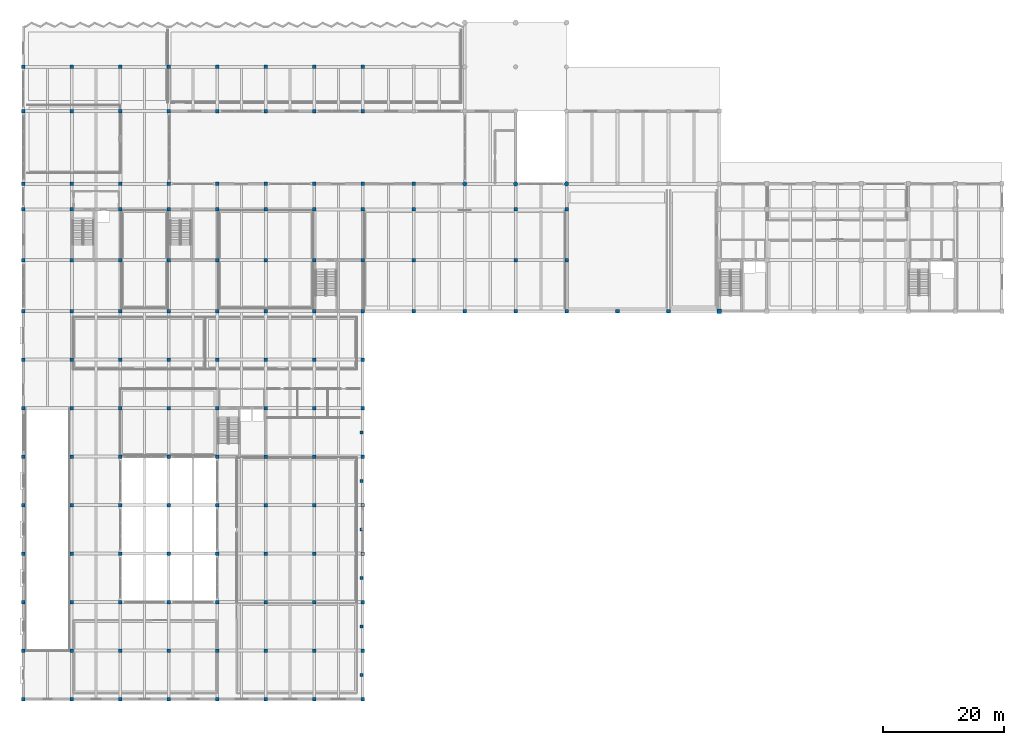
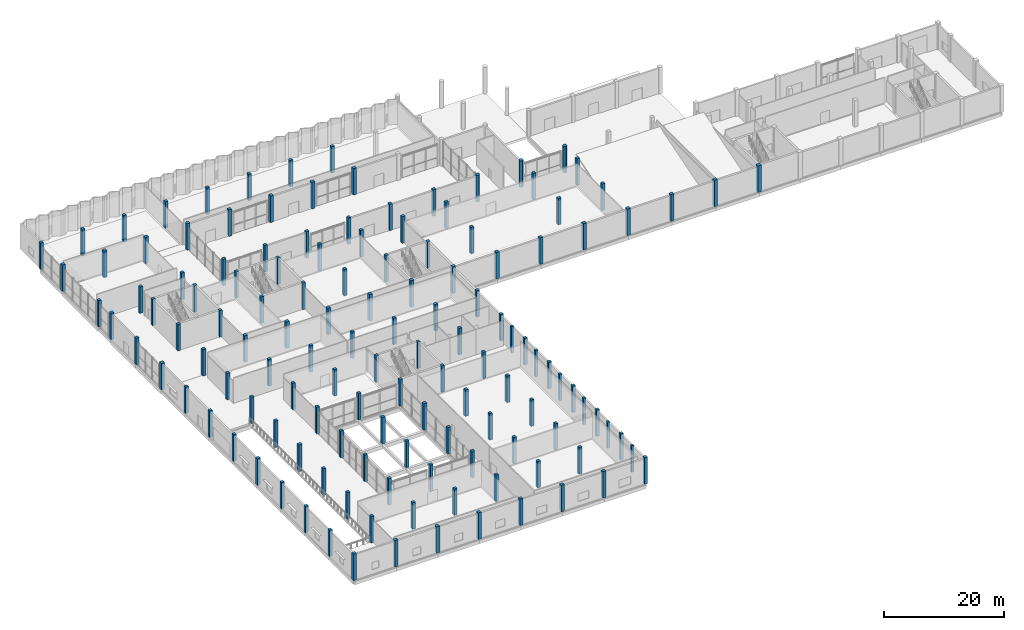
# One storey, part 1 of 41: 135 columns.
"""IFC4 building model written with IfcOpenShell, lengths in metres."""

from ifc_helpers import new_model, si_unit, direction, frame, origin, origin_2d, place, context, subcontext, project, spatial, rectangle, circle, extrude, material, material_profile, profile_set, type_object, element, save


model = new_model("IFC4")

# Units and contexts
model_context = context("Model", 3, precision=1e-05, world=origin(), true_north=direction((0.0, 1.0)))
body_context = subcontext(model_context, "Body", "Model", "MODEL_VIEW")
ifc_project = project(units=[si_unit("LENGTHUNIT", "METRE"), si_unit("AREAUNIT", "SQUARE_METRE"), si_unit("VOLUMEUNIT", "CUBIC_METRE"), si_unit("PLANEANGLEUNIT", "RADIAN"), si_unit("MASSUNIT", "GRAM", prefix="KILO")], contexts=[model_context])

# Site, building, storey
site_placement = place(None, origin())
site = spatial("IfcSite", under=ifc_project, at=site_placement, CompositionType="ELEMENT")
building_placement = place(site_placement, origin())
building = spatial("IfcBuilding", under=site, at=building_placement, Name="Vharandega Faculty of Natural Sciences", CompositionType="ELEMENT")
storey_placement = place(building_placement, origin())
storey = spatial("IfcBuildingStorey", under=building, at=storey_placement, Name="L00", CompositionType="ELEMENT", Elevation=0.0)

# Columns
ifc_material_1 = material(Name="Granite ashlar masonry 25 MPa", Category="masonry")
ifc_material_profile_1 = material_profile(ifc_material_1, rectangle(XDim=0.449951171875, YDim=0.449951171875, at=origin_2d()), Name="RECT 450X450")
ifc_profile_set_1 = profile_set([ifc_material_profile_1], Name="Granite ashlar masonry 25 MPa")
column_type_1 = type_object("IfcColumnType", Name="Granite Ashlar Pilaster 450x450", PredefinedType="PILASTER", material=ifc_profile_set_1)
for number, where, z_axis, x_axis, name in (
    (1, (55.77490234375, 4.0, 0.0), (0.0, 0.0, 1.0), (1.0, 0.0, 0.0), "Granite Plinth Pilaster P01 L00"),
    (2, (55.77490234375, 12.0, 0.0), (0.0, 0.0, 1.0), (1.0, 0.0, 0.0), "Granite Plinth Pilaster P02 L00"),
    (3, (55.77490234375, 20.0, 0.0), (0.0, 0.0, 1.0), (1.0, 0.0, 0.0), "Granite Plinth Pilaster P03 L00"),
    (4, (55.77490234375, 28.0, 0.0), (0.0, 0.0, 1.0), (1.0, 0.0, 0.0), "Granite Plinth Pilaster P04 L00"),
    (5, (55.77490234375, 36.0, 0.0), (0.0, 0.0, 1.0), (1.0, 0.0, 0.0), "Granite Plinth Pilaster P05 L00"),
    (6, (55.77490234375, 44.0, 0.0), (0.0, 0.0, 1.0), (1.0, 0.0, 0.0), "Granite Plinth Pilaster P06 L00"),
):
    element("IfcColumn", number, at=place(storey_placement, frame(where, z_axis=z_axis, x_axis=x_axis)), inside=storey, type_object=column_type_1, Name=name, PredefinedType="PILASTER", context=body_context, shape_type="SweptSolid", body=[
        extrude(rectangle(XDim=0.449951171875, YDim=0.449951171875, at=origin_2d()), origin(), (0.0, 0.0, 1.0), 5.39990234375),
    ])
ifc_material_2 = material(Name="Concrete C40/50", Category="concrete")
ifc_material_profile_2 = material_profile(ifc_material_2, circle(Radius=0.35009765625, at=origin_2d()), Name="RC-CIRC 700")
ifc_profile_set_2 = profile_set([ifc_material_profile_2], Name="Concrete C40/50")
column_type_2 = type_object("IfcColumnType", Name="RC Circular Column 700", PredefinedType="COLUMN", material=ifc_profile_set_2)
for number, where, z_axis, x_axis, name in (
    (7, (72.800048828125, 85.0, 0.0), (0.0, 0.0, 1.0), (1.0, 0.0, 0.0), "Column 10/M L00"),
    (8, (81.199951171875, 85.0, 0.0), (0.0, 0.0, 1.0), (1.0, 0.0, 0.0), "Column 11/M L00"),
    (9, (89.60009765625, 85.0, 0.0), (0.0, 0.0, 1.0), (1.0, 0.0, 0.0), "Column 12/M L00"),
):
    element("IfcColumn", number, at=place(storey_placement, frame(where, z_axis=z_axis, x_axis=x_axis)), inside=storey, type_object=column_type_2, Name=name, PredefinedType="COLUMN", context=body_context, shape_type="SweptSolid", body=[
        extrude(circle(Radius=0.35009765625, at=origin_2d()), origin(), (0.0, 0.0, 1.0), 5.39990234375),
    ])
ifc_material_3 = material(Name="Concrete C40/50", Category="concrete")
ifc_material_profile_3 = material_profile(ifc_material_3, rectangle(XDim=0.550048828125, YDim=0.550048828125, at=origin_2d()), Name="RC 550x550")
ifc_profile_set_3 = profile_set([ifc_material_profile_3], Name="Concrete C40/50")
column_type_3 = type_object("IfcColumnType", Name="RC Column 550x550", PredefinedType="COLUMN", material=ifc_profile_set_3)
for number, where, z_axis, x_axis, name in (
    (10, (0.0, 8.0, 0.0), (0.0, 0.0, 1.0), (1.0, 0.0, 0.0), "Column 1/B L00"),
    (11, (0.0, 16.0, 0.0), (0.0, 0.0, 1.0), (1.0, 0.0, 0.0), "Column 1/C L00"),
    (12, (0.0, 24.0, 0.0), (0.0, 0.0, 1.0), (1.0, 0.0, 0.0), "Column 1/D L00"),
    (13, (0.0, 40.0, 0.0), (0.0, 0.0, 1.0), (1.0, 0.0, 0.0), "Column 1/F L00"),
    (14, (0.0, 48.0, 0.0), (0.0, 0.0, 1.0), (1.0, 0.0, 0.0), "Column 1/G L00"),
    (15, (0.0, 56.0, 0.0), (0.0, 0.0, 1.0), (1.0, 0.0, 0.0), "Column 1/H L00"),
    (16, (0.0, 72.39990234375, 0.0), (0.0, 0.0, 1.0), (1.0, 0.0, 0.0), "Column 1/K L00"),
    (17, (0.0, 80.800048828125, 0.0), (0.0, 0.0, 1.0), (1.0, 0.0, 0.0), "Column 1/L L00"),
    (18, (0.0, 85.0, 0.0), (0.0, 0.0, 1.0), (1.0, 0.0, 0.0), "Column 1/M L00"),
    (19, (0.0, 104.300048828125, 0.0), (0.0, 0.0, 1.0), (1.0, 0.0, 0.0), "Column 1/P L00"),
    (20, (81.199951171875, 72.39990234375, 0.0), (0.0, 0.0, 1.0), (1.0, 0.0, 0.0), "Column 11/K L00"),
    (21, (81.199951171875, 80.800048828125, 0.0), (0.0, 0.0, 1.0), (1.0, 0.0, 0.0), "Column 11/L L00"),
    (22, (89.60009765625, 72.39990234375, 0.0), (0.0, 0.0, 1.0), (1.0, 0.0, 0.0), "Column 12/K L00"),
    (23, (89.60009765625, 80.800048828125, 0.0), (0.0, 0.0, 1.0), (1.0, 0.0, 0.0), "Column 12/L L00"),
    (24, (8.0, 8.0, 0.0), (0.0, 0.0, 1.0), (1.0, 0.0, 0.0), "Column 2/B L00"),
    (25, (8.0, 16.0, 0.0), (0.0, 0.0, 1.0), (1.0, 0.0, 0.0), "Column 2/C L00"),
    (26, (8.0, 24.0, 0.0), (0.0, 0.0, 1.0), (1.0, 0.0, 0.0), "Column 2/D L00"),
    (27, (8.0, 40.0, 0.0), (0.0, 0.0, 1.0), (1.0, 0.0, 0.0), "Column 2/F L00"),
    (28, (8.0, 48.0, 0.0), (0.0, 0.0, 1.0), (1.0, 0.0, 0.0), "Column 2/G L00"),
    (29, (8.0, 56.0, 0.0), (0.0, 0.0, 1.0), (1.0, 0.0, 0.0), "Column 2/H L00"),
    (30, (8.0, 72.39990234375, 0.0), (0.0, 0.0, 1.0), (1.0, 0.0, 0.0), "Column 2/K L00"),
    (31, (8.0, 80.800048828125, 0.0), (0.0, 0.0, 1.0), (1.0, 0.0, 0.0), "Column 2/L L00"),
    (32, (8.0, 85.0, 0.0), (0.0, 0.0, 1.0), (1.0, 0.0, 0.0), "Column 2/M L00"),
    (33, (8.0, 104.300048828125, 0.0), (0.0, 0.0, 1.0), (1.0, 0.0, 0.0), "Column 2/P L00"),
    (34, (16.0, 8.0, 0.0), (0.0, 0.0, 1.0), (1.0, 0.0, 0.0), "Column 3/B L00"),
    (35, (16.0, 16.0, 0.0), (0.0, 0.0, 1.0), (1.0, 0.0, 0.0), "Column 3/C L00"),
    (36, (16.0, 24.0, 0.0), (0.0, 0.0, 1.0), (1.0, 0.0, 0.0), "Column 3/D L00"),
    (37, (16.0, 40.0, 0.0), (0.0, 0.0, 1.0), (1.0, 0.0, 0.0), "Column 3/F L00"),
    (38, (16.0, 48.0, 0.0), (0.0, 0.0, 1.0), (1.0, 0.0, 0.0), "Column 3/G L00"),
    (39, (16.0, 56.0, 0.0), (0.0, 0.0, 1.0), (1.0, 0.0, 0.0), "Column 3/H L00"),
    (40, (16.0, 72.39990234375, 0.0), (0.0, 0.0, 1.0), (1.0, 0.0, 0.0), "Column 3/K L00"),
    (41, (16.0, 80.800048828125, 0.0), (0.0, 0.0, 1.0), (1.0, 0.0, 0.0), "Column 3/L L00"),
    (42, (16.0, 85.0, 0.0), (0.0, 0.0, 1.0), (1.0, 0.0, 0.0), "Column 3/M L00"),
    (43, (16.0, 104.300048828125, 0.0), (0.0, 0.0, 1.0), (1.0, 0.0, 0.0), "Column 3/P L00"),
    (44, (24.0, 8.0, 0.0), (0.0, 0.0, 1.0), (1.0, 0.0, 0.0), "Column 4/B L00"),
    (45, (24.0, 16.0, 0.0), (0.0, 0.0, 1.0), (1.0, 0.0, 0.0), "Column 4/C L00"),
    (46, (24.0, 24.0, 0.0), (0.0, 0.0, 1.0), (1.0, 0.0, 0.0), "Column 4/D L00"),
    (47, (24.0, 40.0, 0.0), (0.0, 0.0, 1.0), (1.0, 0.0, 0.0), "Column 4/F L00"),
    (48, (24.0, 48.0, 0.0), (0.0, 0.0, 1.0), (1.0, 0.0, 0.0), "Column 4/G L00"),
    (49, (24.0, 56.0, 0.0), (0.0, 0.0, 1.0), (1.0, 0.0, 0.0), "Column 4/H L00"),
    (50, (24.0, 72.39990234375, 0.0), (0.0, 0.0, 1.0), (1.0, 0.0, 0.0), "Column 4/K L00"),
    (51, (24.0, 80.800048828125, 0.0), (0.0, 0.0, 1.0), (1.0, 0.0, 0.0), "Column 4/L L00"),
    (52, (24.0, 85.0, 0.0), (0.0, 0.0, 1.0), (1.0, 0.0, 0.0), "Column 4/M L00"),
    (53, (24.0, 104.300048828125, 0.0), (0.0, 0.0, 1.0), (1.0, 0.0, 0.0), "Column 4/P L00"),
    (54, (32.0, 8.0, 0.0), (0.0, 0.0, 1.0), (1.0, 0.0, 0.0), "Column 5/B L00"),
    (55, (32.0, 16.0, 0.0), (0.0, 0.0, 1.0), (1.0, 0.0, 0.0), "Column 5/C L00"),
    (56, (32.0, 24.0, 0.0), (0.0, 0.0, 1.0), (1.0, 0.0, 0.0), "Column 5/D L00"),
    (57, (32.0, 40.0, 0.0), (0.0, 0.0, 1.0), (1.0, 0.0, 0.0), "Column 5/F L00"),
    (58, (32.0, 48.0, 0.0), (0.0, 0.0, 1.0), (1.0, 0.0, 0.0), "Column 5/G L00"),
    (59, (32.0, 56.0, 0.0), (0.0, 0.0, 1.0), (1.0, 0.0, 0.0), "Column 5/H L00"),
    (60, (32.0, 72.39990234375, 0.0), (0.0, 0.0, 1.0), (1.0, 0.0, 0.0), "Column 5/K L00"),
    (61, (32.0, 80.800048828125, 0.0), (0.0, 0.0, 1.0), (1.0, 0.0, 0.0), "Column 5/L L00"),
    (62, (32.0, 85.0, 0.0), (0.0, 0.0, 1.0), (1.0, 0.0, 0.0), "Column 5/M L00"),
    (63, (32.0, 104.300048828125, 0.0), (0.0, 0.0, 1.0), (1.0, 0.0, 0.0), "Column 5/P L00"),
    (64, (40.0, 8.0, 0.0), (0.0, 0.0, 1.0), (1.0, 0.0, 0.0), "Column 6/B L00"),
    (65, (40.0, 16.0, 0.0), (0.0, 0.0, 1.0), (1.0, 0.0, 0.0), "Column 6/C L00"),
    (66, (40.0, 24.0, 0.0), (0.0, 0.0, 1.0), (1.0, 0.0, 0.0), "Column 6/D L00"),
    (67, (40.0, 40.0, 0.0), (0.0, 0.0, 1.0), (1.0, 0.0, 0.0), "Column 6/F L00"),
    (68, (40.0, 48.0, 0.0), (0.0, 0.0, 1.0), (1.0, 0.0, 0.0), "Column 6/G L00"),
    (69, (40.0, 56.0, 0.0), (0.0, 0.0, 1.0), (1.0, 0.0, 0.0), "Column 6/H L00"),
    (70, (40.0, 72.39990234375, 0.0), (0.0, 0.0, 1.0), (1.0, 0.0, 0.0), "Column 6/K L00"),
    (71, (40.0, 80.800048828125, 0.0), (0.0, 0.0, 1.0), (1.0, 0.0, 0.0), "Column 6/L L00"),
    (72, (40.0, 85.0, 0.0), (0.0, 0.0, 1.0), (1.0, 0.0, 0.0), "Column 6/M L00"),
    (73, (40.0, 104.300048828125, 0.0), (0.0, 0.0, 1.0), (1.0, 0.0, 0.0), "Column 6/P L00"),
    (74, (48.0, 8.0, 0.0), (0.0, 0.0, 1.0), (1.0, 0.0, 0.0), "Column 7/B L00"),
    (75, (48.0, 16.0, 0.0), (0.0, 0.0, 1.0), (1.0, 0.0, 0.0), "Column 7/C L00"),
    (76, (48.0, 24.0, 0.0), (0.0, 0.0, 1.0), (1.0, 0.0, 0.0), "Column 7/D L00"),
    (77, (48.0, 40.0, 0.0), (0.0, 0.0, 1.0), (1.0, 0.0, 0.0), "Column 7/F L00"),
    (78, (48.0, 48.0, 0.0), (0.0, 0.0, 1.0), (1.0, 0.0, 0.0), "Column 7/G L00"),
    (79, (48.0, 56.0, 0.0), (0.0, 0.0, 1.0), (1.0, 0.0, 0.0), "Column 7/H L00"),
    (80, (48.0, 72.39990234375, 0.0), (0.0, 0.0, 1.0), (1.0, 0.0, 0.0), "Column 7/K L00"),
    (81, (48.0, 80.800048828125, 0.0), (0.0, 0.0, 1.0), (1.0, 0.0, 0.0), "Column 7/L L00"),
    (82, (48.0, 85.0, 0.0), (0.0, 0.0, 1.0), (1.0, 0.0, 0.0), "Column 7/M L00"),
    (83, (48.0, 104.300048828125, 0.0), (0.0, 0.0, 1.0), (1.0, 0.0, 0.0), "Column 7/P L00"),
    (84, (56.0, 8.0, 0.0), (0.0, 0.0, 1.0), (1.0, 0.0, 0.0), "Column 8/B L00"),
    (85, (56.0, 16.0, 0.0), (0.0, 0.0, 1.0), (1.0, 0.0, 0.0), "Column 8/C L00"),
    (86, (56.0, 24.0, 0.0), (0.0, 0.0, 1.0), (1.0, 0.0, 0.0), "Column 8/D L00"),
    (87, (56.0, 40.0, 0.0), (0.0, 0.0, 1.0), (1.0, 0.0, 0.0), "Column 8/F L00"),
    (88, (56.0, 48.0, 0.0), (0.0, 0.0, 1.0), (1.0, 0.0, 0.0), "Column 8/G L00"),
    (89, (56.0, 56.0, 0.0), (0.0, 0.0, 1.0), (1.0, 0.0, 0.0), "Column 8/H L00"),
    (90, (56.0, 72.39990234375, 0.0), (0.0, 0.0, 1.0), (1.0, 0.0, 0.0), "Column 8/K L00"),
    (91, (56.0, 80.800048828125, 0.0), (0.0, 0.0, 1.0), (1.0, 0.0, 0.0), "Column 8/L L00"),
    (92, (56.0, 85.0, 0.0), (0.0, 0.0, 1.0), (1.0, 0.0, 0.0), "Column 8/M L00"),
    (93, (56.0, 104.300048828125, 0.0), (0.0, 0.0, 1.0), (1.0, 0.0, 0.0), "Column 8/P L00"),
    (94, (64.39990234375, 72.39990234375, 0.0), (0.0, 0.0, 1.0), (1.0, 0.0, 0.0), "Column 9/K L00"),
    (95, (64.39990234375, 80.800048828125, 0.0), (0.0, 0.0, 1.0), (1.0, 0.0, 0.0), "Column 9/L L00"),
    (96, (64.39990234375, 85.0, 0.0), (0.0, 0.0, 1.0), (1.0, 0.0, 0.0), "Column 9/M L00"),
):
    element("IfcColumn", number, at=place(storey_placement, frame(where, z_axis=z_axis, x_axis=x_axis)), inside=storey, type_object=column_type_3, Name=name, PredefinedType="COLUMN", context=body_context, shape_type="SweptSolid", body=[
        extrude(rectangle(XDim=0.550048828125, YDim=0.550048828125, at=origin_2d()), origin(), (0.0, 0.0, 1.0), 5.39990234375),
    ])
ifc_material_4 = material(Name="Concrete C40/50", Category="concrete")
ifc_material_profile_4 = material_profile(ifc_material_4, rectangle(XDim=0.60009765625, YDim=0.60009765625, at=origin_2d()), Name="RC 600x600")
ifc_profile_set_4 = profile_set([ifc_material_profile_4], Name="Concrete C40/50")
column_type_4 = type_object("IfcColumnType", Name="RC Column 600x600", PredefinedType="COLUMN", material=ifc_profile_set_4)
for number, where, z_axis, x_axis, name in (
    (97, (0.0, 0.0, 0.0), (0.0, 0.0, 1.0), (1.0, 0.0, 0.0), "Column 1/A L00"),
    (98, (0.0, 32.0, 0.0), (0.0, 0.0, 1.0), (1.0, 0.0, 0.0), "Column 1/E L00"),
    (99, (0.0, 64.0, 0.0), (0.0, 0.0, 1.0), (1.0, 0.0, 0.0), "Column 1/J L00"),
    (100, (0.0, 97.0, 0.0), (0.0, 0.0, 1.0), (1.0, 0.0, 0.0), "Column 1/N L00"),
    (101, (72.800048828125, 64.0, 0.0), (0.0, 0.0, 1.0), (1.0, 0.0, 0.0), "Column 10/J L00"),
    (102, (81.199951171875, 64.0, 0.0), (0.0, 0.0, 1.0), (1.0, 0.0, 0.0), "Column 11/J L00"),
    (103, (89.60009765625, 64.0, 0.0), (0.0, 0.0, 1.0), (1.0, 0.0, 0.0), "Column 12/J L00"),
    (104, (98.0, 64.0, 0.0), (0.0, 0.0, 1.0), (1.0, 0.0, 0.0), "Column 13/J L00"),
    (105, (106.39990234375, 64.0, 0.0), (0.0, 0.0, 1.0), (1.0, 0.0, 0.0), "Column 14/J L00"),
    (106, (8.0, 0.0, 0.0), (0.0, 0.0, 1.0), (1.0, 0.0, 0.0), "Column 2/A L00"),
    (107, (8.0, 32.0, 0.0), (0.0, 0.0, 1.0), (1.0, 0.0, 0.0), "Column 2/E L00"),
    (108, (8.0, 64.0, 0.0), (0.0, 0.0, 1.0), (1.0, 0.0, 0.0), "Column 2/J L00"),
    (109, (8.0, 97.0, 0.0), (0.0, 0.0, 1.0), (1.0, 0.0, 0.0), "Column 2/N L00"),
    (110, (16.0, 0.0, 0.0), (0.0, 0.0, 1.0), (1.0, 0.0, 0.0), "Column 3/A L00"),
    (111, (16.0, 32.0, 0.0), (0.0, 0.0, 1.0), (1.0, 0.0, 0.0), "Column 3/E L00"),
    (112, (16.0, 64.0, 0.0), (0.0, 0.0, 1.0), (1.0, 0.0, 0.0), "Column 3/J L00"),
    (113, (16.0, 97.0, 0.0), (0.0, 0.0, 1.0), (1.0, 0.0, 0.0), "Column 3/N L00"),
    (114, (24.0, 0.0, 0.0), (0.0, 0.0, 1.0), (1.0, 0.0, 0.0), "Column 4/A L00"),
    (115, (24.0, 32.0, 0.0), (0.0, 0.0, 1.0), (1.0, 0.0, 0.0), "Column 4/E L00"),
    (116, (24.0, 64.0, 0.0), (0.0, 0.0, 1.0), (1.0, 0.0, 0.0), "Column 4/J L00"),
    (117, (24.0, 97.0, 0.0), (0.0, 0.0, 1.0), (1.0, 0.0, 0.0), "Column 4/N L00"),
    (118, (32.0, 0.0, 0.0), (0.0, 0.0, 1.0), (1.0, 0.0, 0.0), "Column 5/A L00"),
    (119, (32.0, 32.0, 0.0), (0.0, 0.0, 1.0), (1.0, 0.0, 0.0), "Column 5/E L00"),
    (120, (32.0, 64.0, 0.0), (0.0, 0.0, 1.0), (1.0, 0.0, 0.0), "Column 5/J L00"),
    (121, (32.0, 97.0, 0.0), (0.0, 0.0, 1.0), (1.0, 0.0, 0.0), "Column 5/N L00"),
    (122, (40.0, 0.0, 0.0), (0.0, 0.0, 1.0), (1.0, 0.0, 0.0), "Column 6/A L00"),
    (123, (40.0, 32.0, 0.0), (0.0, 0.0, 1.0), (1.0, 0.0, 0.0), "Column 6/E L00"),
    (124, (40.0, 64.0, 0.0), (0.0, 0.0, 1.0), (1.0, 0.0, 0.0), "Column 6/J L00"),
    (125, (40.0, 97.0, 0.0), (0.0, 0.0, 1.0), (1.0, 0.0, 0.0), "Column 6/N L00"),
    (126, (48.0, 0.0, 0.0), (0.0, 0.0, 1.0), (1.0, 0.0, 0.0), "Column 7/A L00"),
    (127, (48.0, 32.0, 0.0), (0.0, 0.0, 1.0), (1.0, 0.0, 0.0), "Column 7/E L00"),
    (128, (48.0, 64.0, 0.0), (0.0, 0.0, 1.0), (1.0, 0.0, 0.0), "Column 7/J L00"),
    (129, (48.0, 97.0, 0.0), (0.0, 0.0, 1.0), (1.0, 0.0, 0.0), "Column 7/N L00"),
    (130, (56.0, 0.0, 0.0), (0.0, 0.0, 1.0), (1.0, 0.0, 0.0), "Column 8/A L00"),
    (131, (56.0, 32.0, 0.0), (0.0, 0.0, 1.0), (1.0, 0.0, 0.0), "Column 8/E L00"),
    (132, (56.0, 64.0, 0.0), (0.0, 0.0, 1.0), (1.0, 0.0, 0.0), "Column 8/J L00"),
    (133, (56.0, 97.0, 0.0), (0.0, 0.0, 1.0), (1.0, 0.0, 0.0), "Column 8/N L00"),
    (134, (64.39990234375, 64.0, 0.0), (0.0, 0.0, 1.0), (1.0, 0.0, 0.0), "Column 9/J L00"),
):
    element("IfcColumn", number, at=place(storey_placement, frame(where, z_axis=z_axis, x_axis=x_axis)), inside=storey, type_object=column_type_4, Name=name, PredefinedType="COLUMN", context=body_context, shape_type="SweptSolid", body=[
        extrude(rectangle(XDim=0.60009765625, YDim=0.60009765625, at=origin_2d()), origin(), (0.0, 0.0, 1.0), 5.39990234375),
    ])
ifc_material_5 = material(Name="Concrete C40/50", Category="concrete")
ifc_material_profile_5 = material_profile(ifc_material_5, rectangle(XDim=0.699951171875, YDim=0.699951171875, at=origin_2d()), Name="RC 700x700")
ifc_profile_set_5 = profile_set([ifc_material_profile_5], Name="Concrete C40/50")
column_type_5 = type_object("IfcColumnType", Name="RC Column 700x700", PredefinedType="COLUMN", material=ifc_profile_set_5)
column_placement = place(storey_placement, frame((114.800048828125, 64.0, 0.0), z_axis=(0.0, 0.0, 1.0), x_axis=(1.0, 0.0, 0.0)))
element("IfcColumn", 135, at=column_placement, inside=storey, type_object=column_type_5, Name="Column 15/J L00", PredefinedType="COLUMN", context=body_context, shape_type="SweptSolid", body=[
    extrude(rectangle(XDim=0.699951171875, YDim=0.699951171875, at=origin_2d()), origin(), (0.0, 0.0, 1.0), 5.39990234375),
])

save(model, "model.ifc")
